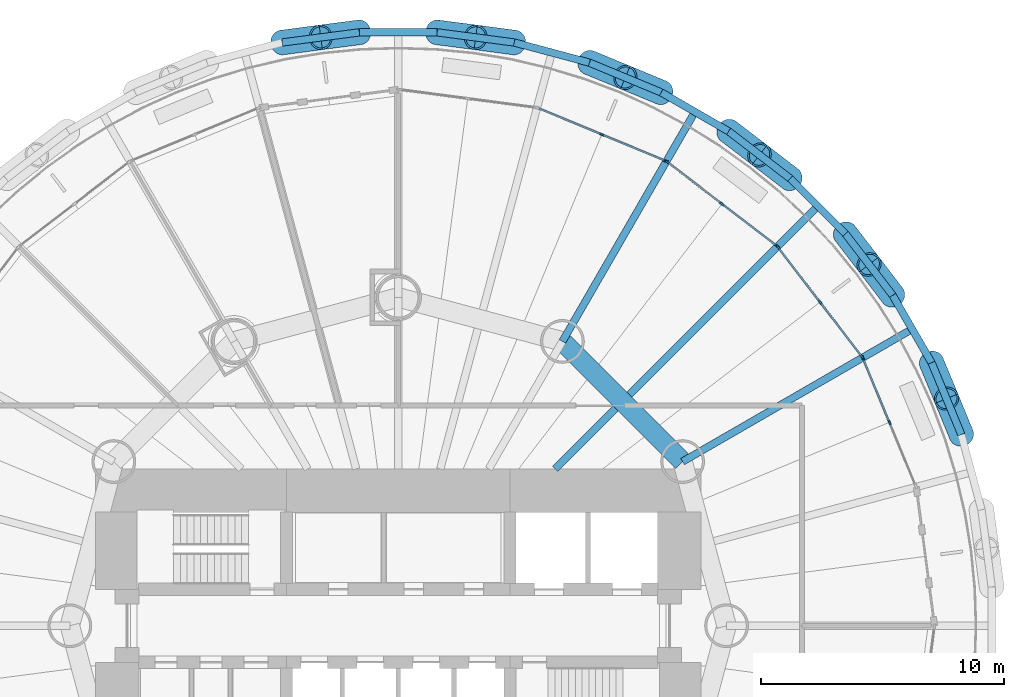
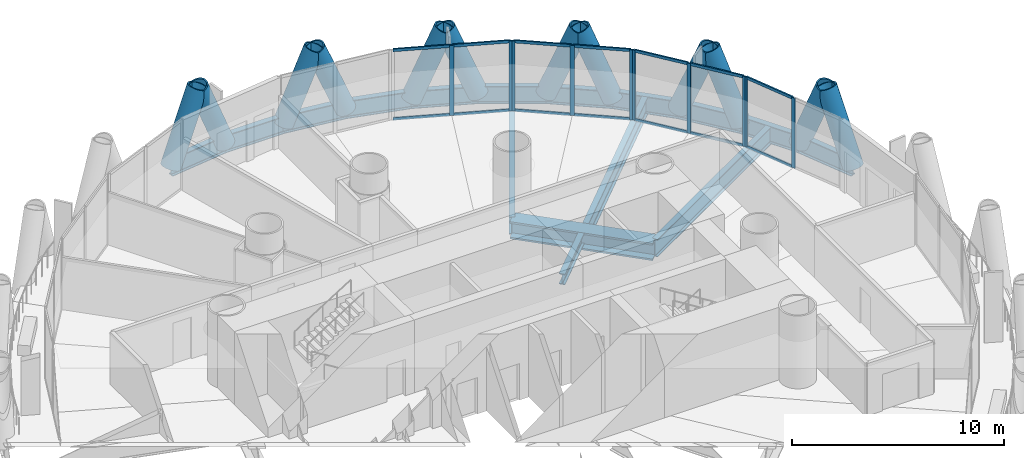
# One storey, part 7 of 16: 36 members, 16 beams, 4 elements without a shape of their own.
"""IFC4 building model written with IfcOpenShell, lengths in metres."""

from ifc_helpers import new_model, si_unit, direction, frame, origin, origin_2d, place, context, subcontext, project, spatial, rectangle, hollow_circle, i_section, extrude, material, material_profile, profile_set, type_object, element, aggregate, save


model = new_model("IFC4")

# Units and contexts
model_context = context("Model", 3, precision=1e-05, world=origin(), true_north=direction((0.0, 1.0)))
body_context = subcontext(model_context, "Body", "Model", "MODEL_VIEW")
ifc_project = project(units=[si_unit("LENGTHUNIT", "METRE"), si_unit("AREAUNIT", "SQUARE_METRE"), si_unit("VOLUMEUNIT", "CUBIC_METRE"), si_unit("PLANEANGLEUNIT", "RADIAN"), si_unit("MASSUNIT", "GRAM", prefix="KILO")], contexts=[model_context])

# Site, building, storey
site_placement = place(None, origin())
site = spatial("IfcSite", under=ifc_project, at=site_placement, CompositionType="ELEMENT")
building_placement = place(site_placement, origin())
building = spatial("IfcBuilding", under=site, at=building_placement, Name="Qaws Media Tower", CompositionType="ELEMENT")
storey_placement = place(building_placement, frame((0.0, 0.0, 181.39990234375)))
storey = spatial("IfcBuildingStorey", under=building, at=storey_placement, Name="L41", CompositionType="ELEMENT", Elevation=181.39990234375)

# Curtain wall, members
ifc_material_1 = material(Name="Aluminium and clear glass", Category="aluminium")
curtain_wall_type = type_object("IfcCurtainWallType", Name="Unitised curtain wall CW-B", PredefinedType="NOTDEFINED", material=ifc_material_1)
curtain_wall_1_placement = place(storey_placement, origin())
curtain_wall_1 = element("IfcCurtainWall", 1, at=curtain_wall_1_placement, inside=storey, type_object=curtain_wall_type, Name="CWB curtain wall L41-02", PredefinedType="NOTDEFINED")
ifc_material_2 = material(Name="Aluminium mullion", Category="aluminium")
ifc_material_profile_1 = material_profile(ifc_material_2, rectangle(XDim=0.080078125, YDim=0.199951171875, at=origin_2d()), Name="80x200")
ifc_profile_set_1 = profile_set([ifc_material_profile_1], Name="Aluminium mullion")
member_type_1 = type_object("IfcMemberType", Name="Curtain wall mullion 80x200", PredefinedType="MULLION", material=ifc_profile_set_1)
member_1_placement = place(storey_placement, frame((80.197265625, 58.365966796875, 0.0), z_axis=(0.0, 0.0, 1.0), x_axis=(-0.923879550525, -0.382683388877, 0.0)))
member_1 = element("IfcMember", 2, at=member_1_placement, type_object=member_type_1, Name="CWB mullion 2", PredefinedType="MULLION", context=body_context, shape_type="SweptSolid", body=[
    extrude(rectangle(XDim=0.080078125, YDim=0.199951171875, at=origin_2d()), origin(), (0.0, 0.0, 1.0), 4.0400390625),
])
member_2_placement = place(storey_placement, frame((79.111083984375, 60.988037109375, 0.0), z_axis=(0.0, 0.0, 1.0), x_axis=(-0.923879550525, -0.382683388877, 0.0)))
member_2 = element("IfcMember", 3, at=member_2_placement, type_object=member_type_1, Name="CWB mullion 3", PredefinedType="MULLION", context=body_context, shape_type="SweptSolid", body=[
    extrude(rectangle(XDim=0.080078125, YDim=0.199951171875, at=origin_2d()), origin(), (0.0, 0.0, 1.0), 4.0400390625),
])

curtain_wall_2_placement = place(storey_placement, origin())
curtain_wall_2 = element("IfcCurtainWall", 4, at=curtain_wall_2_placement, inside=storey, type_object=curtain_wall_type, Name="CWB curtain wall L41-03", PredefinedType="NOTDEFINED")
member_3_placement = place(storey_placement, frame((79.071533203125, 61.056640625, 0.0), z_axis=(0.0, 0.0, 1.0), x_axis=(-0.79335342358, -0.608761320465, 0.0)))
member_3 = element("IfcMember", 5, at=member_3_placement, type_object=member_type_1, Name="CWB mullion 1", PredefinedType="MULLION", context=body_context, shape_type="SweptSolid", body=[
    extrude(rectangle(XDim=0.080078125, YDim=0.199951171875, at=origin_2d()), origin(), (0.0, 0.0, 1.0), 4.0400390625),
])
member_4_placement = place(storey_placement, frame((77.34375, 63.308349609375, 0.0), z_axis=(0.0, 0.0, 1.0), x_axis=(-0.79335342358, -0.608761320465, 0.0)))
member_4 = element("IfcMember", 6, at=member_4_placement, type_object=member_type_1, Name="CWB mullion 2", PredefinedType="MULLION", context=body_context, shape_type="SweptSolid", body=[
    extrude(rectangle(XDim=0.080078125, YDim=0.199951171875, at=origin_2d()), origin(), (0.0, 0.0, 1.0), 4.0400390625),
])
member_5_placement = place(storey_placement, frame((75.615966796875, 65.56005859375, 0.0), z_axis=(0.0, 0.0, 1.0), x_axis=(-0.79335342358, -0.608761320465, 0.0)))
member_5 = element("IfcMember", 7, at=member_5_placement, type_object=member_type_1, Name="CWB mullion 3", PredefinedType="MULLION", context=body_context, shape_type="SweptSolid", body=[
    extrude(rectangle(XDim=0.080078125, YDim=0.199951171875, at=origin_2d()), origin(), (0.0, 0.0, 1.0), 4.0400390625),
])

curtain_wall_3_placement = place(storey_placement, origin())
curtain_wall_3 = element("IfcCurtainWall", 8, at=curtain_wall_3_placement, inside=storey, type_object=curtain_wall_type, Name="CWB curtain wall L41-04", PredefinedType="NOTDEFINED")
member_6_placement = place(storey_placement, frame((75.56005859375, 65.615966796875, 0.0), z_axis=(0.0, 0.0, 1.0), x_axis=(-0.608761320465, -0.79335342358, 0.0)))
member_6 = element("IfcMember", 9, at=member_6_placement, type_object=member_type_1, Name="CWB mullion 1", PredefinedType="MULLION", context=body_context, shape_type="SweptSolid", body=[
    extrude(rectangle(XDim=0.080078125, YDim=0.199951171875, at=origin_2d()), origin(), (0.0, 0.0, 1.0), 4.0400390625),
])
member_7_placement = place(storey_placement, frame((73.308349609375, 67.34375, 0.0), z_axis=(0.0, 0.0, 1.0), x_axis=(-0.608761320465, -0.79335342358, 0.0)))
member_7 = element("IfcMember", 10, at=member_7_placement, type_object=member_type_1, Name="CWB mullion 2", PredefinedType="MULLION", context=body_context, shape_type="SweptSolid", body=[
    extrude(rectangle(XDim=0.080078125, YDim=0.199951171875, at=origin_2d()), origin(), (0.0, 0.0, 1.0), 4.0400390625),
])
member_8_placement = place(storey_placement, frame((71.056640625, 69.071533203125, 0.0), z_axis=(0.0, 0.0, 1.0), x_axis=(-0.608761320465, -0.79335342358, 0.0)))
member_8 = element("IfcMember", 11, at=member_8_placement, type_object=member_type_1, Name="CWB mullion 3", PredefinedType="MULLION", context=body_context, shape_type="SweptSolid", body=[
    extrude(rectangle(XDim=0.080078125, YDim=0.199951171875, at=origin_2d()), origin(), (0.0, 0.0, 1.0), 4.0400390625),
])

curtain_wall_4_placement = place(storey_placement, origin())
curtain_wall_4 = element("IfcCurtainWall", 12, at=curtain_wall_4_placement, inside=storey, type_object=curtain_wall_type, Name="CWB curtain wall L41-05", PredefinedType="NOTDEFINED")
member_9_placement = place(storey_placement, frame((70.988037109375, 69.111083984375, 0.0), z_axis=(0.0, 0.0, 1.0), x_axis=(-0.382683388877, -0.923879550525, 0.0)))
member_9 = element("IfcMember", 13, at=member_9_placement, type_object=member_type_1, Name="CWB mullion 1", PredefinedType="MULLION", context=body_context, shape_type="SweptSolid", body=[
    extrude(rectangle(XDim=0.080078125, YDim=0.199951171875, at=origin_2d()), origin(), (0.0, 0.0, 1.0), 4.0400390625),
])
member_10_placement = place(storey_placement, frame((68.365966796875, 70.197265625, 0.0), z_axis=(0.0, 0.0, 1.0), x_axis=(-0.382683388877, -0.923879550525, 0.0)))
member_10 = element("IfcMember", 14, at=member_10_placement, type_object=member_type_1, Name="CWB mullion 2", PredefinedType="MULLION", context=body_context, shape_type="SweptSolid", body=[
    extrude(rectangle(XDim=0.080078125, YDim=0.199951171875, at=origin_2d()), origin(), (0.0, 0.0, 1.0), 4.0400390625),
])

# Member
ifc_material_3 = material(Name="Aluminium transom", Category="aluminium")
ifc_material_profile_2 = material_profile(ifc_material_3, rectangle(XDim=0.080078125, YDim=0.159912109375, at=origin_2d()), Name="80x160")
ifc_profile_set_2 = profile_set([ifc_material_profile_2], Name="Aluminium transom")
member_type_2 = type_object("IfcMemberType", Name="Curtain wall transom 80x160", PredefinedType="USERDEFINED", material=ifc_profile_set_2)
member_11_placement = place(storey_placement, frame((80.181884765625, 58.40283203125, 0.0400390625), z_axis=(-0.382641035771, 0.923897092616, 0.0), x_axis=(-0.923897092616, -0.382641035771, 0.0)))
member_11 = element("IfcMember", 15, at=member_11_placement, type_object=member_type_2, Name="CWB transom 2.1", ObjectType="TRANSOM", PredefinedType="USERDEFINED", context=body_context, shape_type="SweptSolid", body=[
    extrude(rectangle(XDim=0.080078125, YDim=0.159912109375, at=origin_2d()), origin(), (0.0, 0.0, 1.0), 2.75830078125),
])

member_12_placement = place(storey_placement, frame((80.181884765625, 58.40283203125, 4.0), z_axis=(-0.382641035771, 0.923897092616, 0.0), x_axis=(-0.923897092616, -0.382641035771, 0.0)))
member_12 = element("IfcMember", 16, at=member_12_placement, type_object=member_type_2, Name="CWB transom 2.2", ObjectType="TRANSOM", PredefinedType="USERDEFINED", context=body_context, shape_type="SweptSolid", body=[
    extrude(rectangle(XDim=0.080078125, YDim=0.159912109375, at=origin_2d()), origin(), (0.0, 0.0, 1.0), 2.75830078125),
])

aggregate(curtain_wall_1, [member_1, member_2, member_11, member_12])

member_13_placement = place(storey_placement, frame((79.047119140625, 61.08837890625, 0.0400390625), z_axis=(-0.608730686286, 0.793376929066, 0.0), x_axis=(-0.793376929066, -0.608730686286, 0.0)))
member_13 = element("IfcMember", 17, at=member_13_placement, type_object=member_type_2, Name="CWB transom 1.1", ObjectType="TRANSOM", PredefinedType="USERDEFINED", context=body_context, shape_type="SweptSolid", body=[
    extrude(rectangle(XDim=0.080078125, YDim=0.159912109375, at=origin_2d()), origin(), (0.0, 0.0, 1.0), 2.758056640625),
])

member_14_placement = place(storey_placement, frame((79.047119140625, 61.08837890625, 4.0), z_axis=(-0.608730686286, 0.793376929066, 0.0), x_axis=(-0.793376929066, -0.608730686286, 0.0)))
member_14 = element("IfcMember", 18, at=member_14_placement, type_object=member_type_2, Name="CWB transom 1.2", ObjectType="TRANSOM", PredefinedType="USERDEFINED", context=body_context, shape_type="SweptSolid", body=[
    extrude(rectangle(XDim=0.080078125, YDim=0.159912109375, at=origin_2d()), origin(), (0.0, 0.0, 1.0), 2.758056640625),
])

member_15_placement = place(storey_placement, frame((77.3193359375, 63.340087890625, 0.0400390625), z_axis=(-0.608730686286, 0.793376929066, 0.0), x_axis=(-0.793376929066, -0.608730686286, 0.0)))
member_15 = element("IfcMember", 19, at=member_15_placement, type_object=member_type_2, Name="CWB transom 2.1", ObjectType="TRANSOM", PredefinedType="USERDEFINED", context=body_context, shape_type="SweptSolid", body=[
    extrude(rectangle(XDim=0.080078125, YDim=0.159912109375, at=origin_2d()), origin(), (0.0, 0.0, 1.0), 2.758056640625),
])

member_16_placement = place(storey_placement, frame((77.3193359375, 63.340087890625, 4.0), z_axis=(-0.608730686286, 0.793376929066, 0.0), x_axis=(-0.793376929066, -0.608730686286, 0.0)))
member_16 = element("IfcMember", 20, at=member_16_placement, type_object=member_type_2, Name="CWB transom 2.2", ObjectType="TRANSOM", PredefinedType="USERDEFINED", context=body_context, shape_type="SweptSolid", body=[
    extrude(rectangle(XDim=0.080078125, YDim=0.159912109375, at=origin_2d()), origin(), (0.0, 0.0, 1.0), 2.758056640625),
])

aggregate(curtain_wall_2, [member_3, member_4, member_5, member_13, member_14, member_15, member_16])

member_17_placement = place(storey_placement, frame((75.5283203125, 65.640380859375, 0.0400390625), z_axis=(-0.793376929066, 0.608730686286, 0.0), x_axis=(-0.608730686286, -0.793376929066, 0.0)))
member_17 = element("IfcMember", 21, at=member_17_placement, type_object=member_type_2, Name="CWB transom 1.1", ObjectType="TRANSOM", PredefinedType="USERDEFINED", context=body_context, shape_type="SweptSolid", body=[
    extrude(rectangle(XDim=0.080078125, YDim=0.159912109375, at=origin_2d()), origin(), (0.0, 0.0, 1.0), 2.758056640625),
])

member_18_placement = place(storey_placement, frame((75.5283203125, 65.640380859375, 4.0), z_axis=(-0.793376929066, 0.608730686286, 0.0), x_axis=(-0.608730686286, -0.793376929066, 0.0)))
member_18 = element("IfcMember", 22, at=member_18_placement, type_object=member_type_2, Name="CWB transom 1.2", ObjectType="TRANSOM", PredefinedType="USERDEFINED", context=body_context, shape_type="SweptSolid", body=[
    extrude(rectangle(XDim=0.080078125, YDim=0.159912109375, at=origin_2d()), origin(), (0.0, 0.0, 1.0), 2.758056640625),
])

member_19_placement = place(storey_placement, frame((73.276611328125, 67.3681640625, 0.0400390625), z_axis=(-0.793376929066, 0.608730686286, 0.0), x_axis=(-0.608730686286, -0.793376929066, 0.0)))
member_19 = element("IfcMember", 23, at=member_19_placement, type_object=member_type_2, Name="CWB transom 2.1", ObjectType="TRANSOM", PredefinedType="USERDEFINED", context=body_context, shape_type="SweptSolid", body=[
    extrude(rectangle(XDim=0.080078125, YDim=0.159912109375, at=origin_2d()), origin(), (0.0, 0.0, 1.0), 2.758056640625),
])

member_20_placement = place(storey_placement, frame((73.276611328125, 67.3681640625, 4.0), z_axis=(-0.793376929066, 0.608730686286, 0.0), x_axis=(-0.608730686286, -0.793376929066, 0.0)))
member_20 = element("IfcMember", 24, at=member_20_placement, type_object=member_type_2, Name="CWB transom 2.2", ObjectType="TRANSOM", PredefinedType="USERDEFINED", context=body_context, shape_type="SweptSolid", body=[
    extrude(rectangle(XDim=0.080078125, YDim=0.159912109375, at=origin_2d()), origin(), (0.0, 0.0, 1.0), 2.758056640625),
])

aggregate(curtain_wall_3, [member_6, member_7, member_8, member_17, member_18, member_19, member_20])

member_21_placement = place(storey_placement, frame((70.951171875, 69.12646484375, 0.0400390625), z_axis=(-0.923897092616, 0.382641035771, 0.0), x_axis=(-0.382641035771, -0.923897092616, 0.0)))
member_21 = element("IfcMember", 25, at=member_21_placement, type_object=member_type_2, Name="CWB transom 1.1", ObjectType="TRANSOM", PredefinedType="USERDEFINED", context=body_context, shape_type="SweptSolid", body=[
    extrude(rectangle(XDim=0.080078125, YDim=0.159912109375, at=origin_2d()), origin(), (0.0, 0.0, 1.0), 2.75830078125),
])

member_22_placement = place(storey_placement, frame((70.951171875, 69.12646484375, 4.0), z_axis=(-0.923897092616, 0.382641035771, 0.0), x_axis=(-0.382641035771, -0.923897092616, 0.0)))
member_22 = element("IfcMember", 26, at=member_22_placement, type_object=member_type_2, Name="CWB transom 1.2", ObjectType="TRANSOM", PredefinedType="USERDEFINED", context=body_context, shape_type="SweptSolid", body=[
    extrude(rectangle(XDim=0.080078125, YDim=0.159912109375, at=origin_2d()), origin(), (0.0, 0.0, 1.0), 2.75830078125),
])

member_23_placement = place(storey_placement, frame((68.3291015625, 70.212646484375, 0.0400390625), z_axis=(-0.923897092616, 0.382641035771, 0.0), x_axis=(-0.382641035771, -0.923897092616, 0.0)))
member_23 = element("IfcMember", 27, at=member_23_placement, type_object=member_type_2, Name="CWB transom 2.1", ObjectType="TRANSOM", PredefinedType="USERDEFINED", context=body_context, shape_type="SweptSolid", body=[
    extrude(rectangle(XDim=0.080078125, YDim=0.159912109375, at=origin_2d()), origin(), (0.0, 0.0, 1.0), 2.75830078125),
])

member_24_placement = place(storey_placement, frame((68.3291015625, 70.212646484375, 4.0), z_axis=(-0.923897092616, 0.382641035771, 0.0), x_axis=(-0.382641035771, -0.923897092616, 0.0)))
member_24 = element("IfcMember", 28, at=member_24_placement, type_object=member_type_2, Name="CWB transom 2.2", ObjectType="TRANSOM", PredefinedType="USERDEFINED", context=body_context, shape_type="SweptSolid", body=[
    extrude(rectangle(XDim=0.080078125, YDim=0.159912109375, at=origin_2d()), origin(), (0.0, 0.0, 1.0), 2.75830078125),
])

aggregate(curtain_wall_4, [member_9, member_10, member_21, member_22, member_23, member_24])

# Members
ifc_material_4 = material(Name="Steel S460", Category="steel")
ifc_material_profile_3 = material_profile(ifc_material_4, hollow_circle(Radius=0.508056640625, WallThickness=0.070068359375, at=origin_2d()), Name="CHS 1016x70")
ifc_profile_set_3 = profile_set([ifc_material_profile_3], Name="Steel S460")
member_type_3 = type_object("IfcMemberType", Name="Diagrid member CHS 1016x70", PredefinedType="USERDEFINED", material=ifc_profile_set_3)
for number, where, z_axis, x_axis, name in (
    (29, (83.15234375, 57.859130859375, -0.663818359375), (-0.142936555494, 0.346608267327, 0.927055473057), (-0.924475599504, -0.3812412175, 0.0), "DG3 diagrid L41 A02"),
    (30, (80.329345703125, 63.583740234375, -0.663818359375), (-0.22777293428, 0.29778205683, 0.927062747089), (-0.794284150065, -0.60754645004, 0.0), "DG3 diagrid L41 A03"),
):
    element("IfcMember", number, at=place(storey_placement, frame(where, z_axis=z_axis, x_axis=x_axis)), inside=storey, type_object=member_type_3, Name=name, ObjectType="DIAGRID", PredefinedType="USERDEFINED", context=body_context, shape_type="SweptSolid", body=[
        extrude(hollow_circle(Radius=0.508056640625, WallThickness=0.070068359375, at=origin_2d()), origin(), (0.0, 0.0, 1.0), 4.264892578125),
    ])
for number, where, z_axis, x_axis, name in (
    (31, (81.928466796875, 60.81396484375, -0.663818359375), (0.144021694718, -0.346201593662, 0.927039485673), (0.923293573084, 0.384095011554, 0.0), "DG3 diagrid L41 B03"),
    (32, (76.12109375, 68.382568359375, -0.663818359375), (-0.297145919371, 0.2286838659, 0.92704260532), (-0.609895190454, -0.792482086019, 0.0), "DG3 diagrid L41 A04"),
    (33, (78.382568359375, 66.12109375, -0.663818359375), (0.2286838659, -0.297145919371, 0.92704260532), (0.792482086019, 0.609895190454, 0.0), "DG3 diagrid L41 B04"),
    (34, (70.81396484375, 71.928466796875, -0.663818359375), (-0.346201593662, 0.144021694718, 0.927039485673), (-0.384095011554, -0.923293573084, 0.0), "DG3 diagrid L41 A05"),
):
    element("IfcMember", number, at=place(storey_placement, frame(where, z_axis=z_axis, x_axis=x_axis)), inside=storey, type_object=member_type_3, Name=name, ObjectType="DIAGRID", PredefinedType="USERDEFINED", context=body_context, shape_type="SweptSolid", body=[
        extrude(hollow_circle(Radius=0.508056640625, WallThickness=0.070068359375, at=origin_2d()), origin(), (0.0, 0.0, 1.0), 4.26513671875),
    ])
member_25_placement = place(storey_placement, frame((73.583740234375, 70.329345703125, -0.663818359375), z_axis=(0.29778205683, -0.22777293428, 0.927062747089), x_axis=(0.60754645004, 0.794284150065, 0.0)))
element("IfcMember", 35, at=member_25_placement, inside=storey, type_object=member_type_3, Name="DG3 diagrid L41 B05", ObjectType="DIAGRID", PredefinedType="USERDEFINED", context=body_context, shape_type="SweptSolid", body=[
    extrude(hollow_circle(Radius=0.508056640625, WallThickness=0.070068359375, at=origin_2d()), origin(), (0.0, 0.0, 1.0), 4.264892578125),
])
member_26_placement = place(storey_placement, frame((64.77001953125, 73.980224609375, -0.663818359375), z_axis=(-0.371676265111, 0.049457614825, 0.927044064912), x_axis=(-0.131903716104, -0.991262533176, 0.0)))
element("IfcMember", 36, at=member_26_placement, inside=storey, type_object=member_type_3, Name="DG3 diagrid L41 A06", ObjectType="DIAGRID", PredefinedType="USERDEFINED", context=body_context, shape_type="SweptSolid", body=[
    extrude(hollow_circle(Radius=0.508056640625, WallThickness=0.070068359375, at=origin_2d()), origin(), (0.0, 0.0, 1.0), 4.26513671875),
])
for number, where, z_axis, x_axis, name in (
    (37, (67.859130859375, 73.15234375, -0.663818359375), (0.346608267327, -0.142936555494, 0.927055473057), (0.3812412175, 0.924475599504, 0.0), "DG3 diagrid L41 B06"),
    (38, (58.40087890625, 74.397705078125, -0.663818359375), (-0.371793676608, -0.048427629009, 0.927051361459), (0.129162953207, -0.991623381894, 0.0), "DG3 diagrid L41 A07"),
    (39, (61.59912109375, 74.397705078125, -0.663818359375), (0.371793676608, -0.048427629009, 0.927051361459), (0.129162953207, 0.991623381894, 0.0), "DG3 diagrid L41 B07"),
):
    element("IfcMember", number, at=place(storey_placement, frame(where, z_axis=z_axis, x_axis=x_axis)), inside=storey, type_object=member_type_3, Name=name, ObjectType="DIAGRID", PredefinedType="USERDEFINED", context=body_context, shape_type="SweptSolid", body=[
        extrude(hollow_circle(Radius=0.508056640625, WallThickness=0.070068359375, at=origin_2d()), origin(), (0.0, 0.0, 1.0), 4.264892578125),
    ])
member_27_placement = place(storey_placement, frame((55.22998046875, 73.980224609375, -0.663818359375), z_axis=(0.371676265111, 0.049457614825, 0.927044064912), x_axis=(-0.131903716104, 0.991262533176, 0.0)))
element("IfcMember", 40, at=member_27_placement, inside=storey, type_object=member_type_3, Name="DG3 diagrid L41 B08", ObjectType="DIAGRID", PredefinedType="USERDEFINED", context=body_context, shape_type="SweptSolid", body=[
    extrude(hollow_circle(Radius=0.508056640625, WallThickness=0.070068359375, at=origin_2d()), origin(), (0.0, 0.0, 1.0), 4.26513671875),
])

# Beams
ifc_material_5 = material(Name="Steel S460", Category="steel")
ifc_material_profile_4 = material_profile(ifc_material_5, i_section(OverallWidth=0.302001953125, OverallDepth=1.008056640625, WebThickness=0.02099609375, FlangeThickness=0.0400390625, FilletRadius=0.030029296875, at=origin_2d()), Name="HE 1000 M")
ifc_profile_set_4 = profile_set([ifc_material_profile_4], Name="Steel S460")
beam_type_1 = type_object("IfcBeamType", Name="Edge ring beam HE 1000 M", PredefinedType="BEAM", material=ifc_profile_set_4)
for number, where, z_axis, x_axis, name in (
    (41, (83.15234375, 57.859130859375, -0.663818359375), (-0.382668658443, 0.923885651932, 0.0), (-0.923885651932, -0.382668658443, 0.0), "RB3 edge ring beam L41-03"),
    (42, (81.928466796875, 60.81396484375, -0.663818359375), (-0.499997778408, 0.866026686418, 0.0), (-0.866026686418, -0.499997778408, 0.0), "RB3 edge ring beam L41-04"),
    (43, (80.329345703125, 63.583740234375, -0.663818359375), (-0.608721577857, 0.793383917565, 0.0), (-0.793383917565, -0.608721577857, 0.0), "RB3 edge ring beam L41-05"),
    (44, (78.382568359375, 66.12109375, -0.663818359375), (-0.707106781187, 0.707106781187, 0.0), (-0.707106781187, -0.707106781187, 0.0), "RB3 edge ring beam L41-06"),
    (45, (76.12109375, 68.382568359375, -0.663818359375), (-0.793383917565, 0.608721577857, 0.0), (-0.608721577857, -0.793383917565, 0.0), "RB3 edge ring beam L41-07"),
    (46, (73.583740234375, 70.329345703125, -0.663818359375), (-0.866026686418, 0.499997778408, 0.0), (-0.499997778408, -0.866026686418, 0.0), "RB3 edge ring beam L41-08"),
    (47, (70.81396484375, 71.928466796875, -0.663818359375), (-0.923885651932, 0.382668658443, 0.0), (-0.382668658443, -0.923885651932, 0.0), "RB3 edge ring beam L41-09"),
    (48, (67.859130859375, 73.15234375, -0.663818359375), (-0.965913632625, 0.258864548189, 0.0), (-0.258864548189, -0.965913632625, 0.0), "RB3 edge ring beam L41-10"),
    (49, (64.77001953125, 73.980224609375, -0.663818359375), (-0.991443899561, 0.130533497709, 0.0), (-0.130533497709, -0.991443899561, 0.0), "RB3 edge ring beam L41-11"),
    (50, (61.59912109375, 74.397705078125, -0.663818359375), (-1.0, 0.0, 0.0), (0.0, -1.0, 0.0), "RB3 edge ring beam L41-12"),
    (51, (58.40087890625, 74.397705078125, -0.663818359375), (-0.991443899561, -0.130533497709, 0.0), (0.130533497709, -0.991443899561, 0.0), "RB3 edge ring beam L41-13"),
):
    element("IfcBeam", number, at=place(storey_placement, frame(where, z_axis=z_axis, x_axis=x_axis)), inside=storey, type_object=beam_type_1, Name=name, PredefinedType="BEAM", context=body_context, shape_type="SweptSolid", body=[
        extrude(i_section(OverallWidth=0.302001953125, OverallDepth=1.008056640625, WebThickness=0.02099609375, FlangeThickness=0.0400390625, FilletRadius=0.030029296875, at=origin_2d()), origin(), (0.0, 0.0, 1.0), 3.1982421875),
    ])
ifc_material_6 = material(Name="Steel S460", Category="steel")
ifc_material_profile_5 = material_profile(ifc_material_6, i_section(OverallWidth=0.800048828125, OverallDepth=1.0, WebThickness=0.0400390625, FlangeThickness=0.10009765625, at=origin_2d()), Name="PG 1000x800")
ifc_profile_set_5 = profile_set([ifc_material_profile_5], Name="Steel S460")
beam_type_2 = type_object("IfcBeamType", Name="Inner ring girder PG 1000x800", PredefinedType="BEAM", material=ifc_profile_set_5)
beam_1_placement = place(storey_placement, frame((71.69140625, 56.75, -0.659912109375), z_axis=(-0.707106781187, 0.707106781187, 0.0), x_axis=(-0.707106781187, -0.707106781187, 0.0)))
element("IfcBeam", 52, at=beam_1_placement, inside=storey, type_object=beam_type_2, Name="B3 inner ring beam L41 I02-I03", PredefinedType="BEAM", context=body_context, shape_type="SweptSolid", body=[
    extrude(i_section(OverallWidth=0.800048828125, OverallDepth=1.0, WebThickness=0.0400390625, FlangeThickness=0.10009765625, at=origin_2d()), origin(), (0.0, 0.0, 1.0), 6.98828125),
])
ifc_material_7 = material(Name="Steel S355", Category="steel")
ifc_material_profile_6 = material_profile(ifc_material_7, i_section(OverallWidth=0.302001953125, OverallDepth=1.008056640625, WebThickness=0.02099609375, FlangeThickness=0.0400390625, FilletRadius=0.030029296875, at=origin_2d()), Name="HE 1000 M")
ifc_profile_set_6 = profile_set([ifc_material_profile_6], Name="Steel S355")
beam_type_3 = type_object("IfcBeamType", Name="Radial beam HE 1000 M", PredefinedType="BEAM", material=ifc_profile_set_6)
beam_2_placement = place(storey_placement, frame((71.69140625, 56.75, -0.663818359375), z_axis=(0.86602590829, 0.49999912617, 0.0), x_axis=(-0.49999912617, 0.86602590829, 0.0)))
element("IfcBeam", 53, at=beam_2_placement, inside=storey, type_object=beam_type_3, Name="B1 radial beam L41 03", PredefinedType="BEAM", context=body_context, shape_type="SweptSolid", body=[
    extrude(i_section(OverallWidth=0.302001953125, OverallDepth=1.008056640625, WebThickness=0.02099609375, FlangeThickness=0.0400390625, FilletRadius=0.030029296875, at=origin_2d()), origin(), (0.0, 0.0, 1.0), 10.8974609375),
])
beam_3_placement = place(storey_placement, frame((69.50341796875, 59.50341796875, -0.663818359375), z_axis=(0.707106781187, 0.707106781187, 0.0), x_axis=(-0.707106781187, 0.707106781187, 0.0)))
element("IfcBeam", 54, at=beam_3_placement, inside=storey, type_object=beam_type_3, Name="B1 radial beam L41 04", PredefinedType="BEAM", context=body_context, shape_type="SweptSolid", body=[
    extrude(i_section(OverallWidth=0.302001953125, OverallDepth=1.008056640625, WebThickness=0.02099609375, FlangeThickness=0.0400390625, FilletRadius=0.030029296875, at=origin_2d()), origin(), (0.0, 0.0, 1.0), 10.957763671875),
])
beam_4_placement = place(storey_placement, frame((66.75, 61.69140625, -0.663818359375), z_axis=(0.49999912617, 0.86602590829, 0.0), x_axis=(-0.86602590829, 0.49999912617, 0.0)))
element("IfcBeam", 55, at=beam_4_placement, inside=storey, type_object=beam_type_3, Name="B1 radial beam L41 05", PredefinedType="BEAM", context=body_context, shape_type="SweptSolid", body=[
    extrude(i_section(OverallWidth=0.302001953125, OverallDepth=1.008056640625, WebThickness=0.02099609375, FlangeThickness=0.0400390625, FilletRadius=0.030029296875, at=origin_2d()), origin(), (0.0, 0.0, 1.0), 10.8974609375),
])
ifc_material_8 = material(Name="Steel S355", Category="steel")
ifc_material_profile_7 = material_profile(ifc_material_8, i_section(OverallWidth=0.304931640625, OverallDepth=0.6201171875, WebThickness=0.02099609375, FlangeThickness=0.0400390625, FilletRadius=0.027099609375, at=origin_2d()), Name="HE 600 M")
ifc_profile_set_7 = profile_set([ifc_material_profile_7], Name="Steel S355")
beam_type_4 = type_object("IfcBeamType", Name="Radial beam HE 600 M, core side", PredefinedType="BEAM", material=ifc_profile_set_7)
beam_5_placement = place(storey_placement, frame((66.449951171875, 56.449951171875, -0.469970703125), z_axis=(0.707106781187, 0.707106781187, 0.0), x_axis=(-0.707106781187, 0.707106781187, 0.0)))
element("IfcBeam", 56, at=beam_5_placement, inside=storey, type_object=beam_type_4, Name="B2 radial beam L41 04", PredefinedType="BEAM", context=body_context, shape_type="SweptSolid", body=[
    extrude(i_section(OverallWidth=0.304931640625, OverallDepth=0.6201171875, WebThickness=0.02099609375, FlangeThickness=0.0400390625, FilletRadius=0.027099609375, at=origin_2d()), origin(), (0.0, 0.0, 1.0), 3.518310546875),
])

save(model, "model.ifc")
